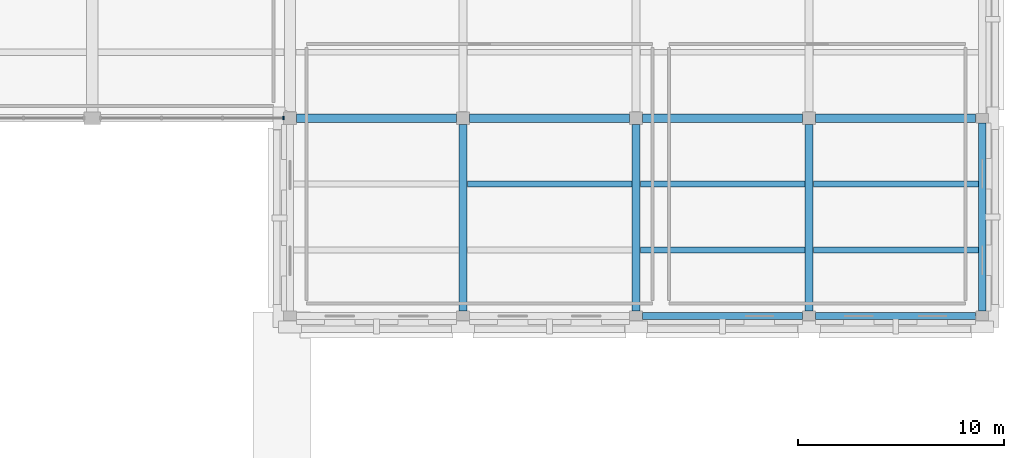
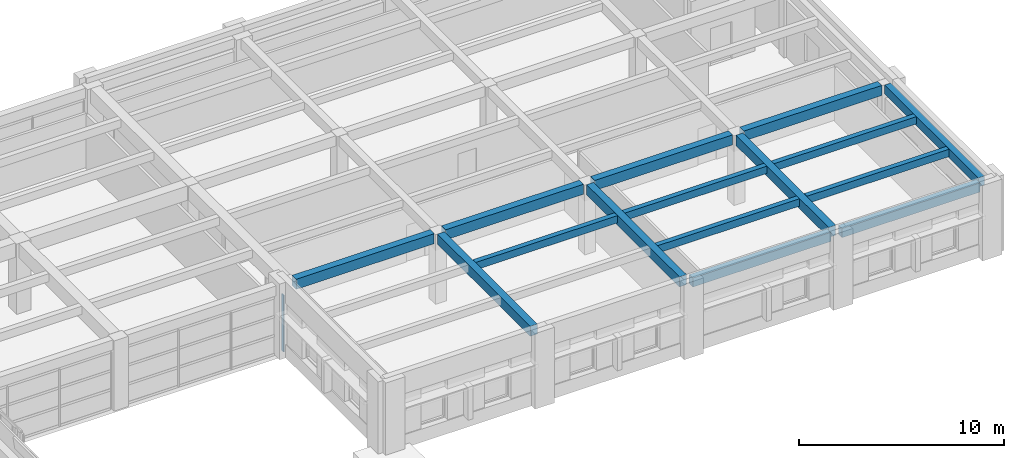
# One storey, part 21 of 49: 15 beams, 1 member, 1 element without a shape of its own.
"""IFC4 building model written with IfcOpenShell, lengths in metres."""

from ifc_helpers import new_model, si_unit, direction, frame, origin, origin_2d, place, context, subcontext, project, spatial, rectangle, extrude, material, layer, layer_set, material_profile, profile_set, type_object, element, aggregate, save


model = new_model("IFC4")

# Units and contexts
model_context = context("Model", 3, precision=1e-05, world=origin(), true_north=direction((0.0, 1.0)))
body_context = subcontext(model_context, "Body", "Model", "MODEL_VIEW")
ifc_project = project(units=[si_unit("LENGTHUNIT", "METRE"), si_unit("AREAUNIT", "SQUARE_METRE"), si_unit("VOLUMEUNIT", "CUBIC_METRE"), si_unit("PLANEANGLEUNIT", "RADIAN"), si_unit("MASSUNIT", "GRAM", prefix="KILO")], contexts=[model_context])

# Site, building, storey
site_placement = place(None, origin())
site = spatial("IfcSite", under=ifc_project, at=site_placement, CompositionType="ELEMENT")
building_placement = place(site_placement, origin())
building = spatial("IfcBuilding", under=site, at=building_placement, Name="Bempovik Park Faculty of Sciences", CompositionType="ELEMENT")
storey_placement = place(building_placement, frame((0.0, 0.0, 5.39990234375)))
storey = spatial("IfcBuildingStorey", under=building, at=storey_placement, Name="L01", CompositionType="ELEMENT", Elevation=5.39990234375)

# Beams
ifc_material_1 = material(Name="Concrete C35/45", Category="concrete")
ifc_material_profile_1 = material_profile(ifc_material_1, rectangle(XDim=0.39990234375, YDim=0.60009765625, at=origin_2d()), Name="RC 400x600")
ifc_profile_set_1 = profile_set([ifc_material_profile_1], Name="Concrete C35/45")
beam_type_1 = type_object("IfcBeamType", Name="B-020 RC 400x600", PredefinedType="BEAM", material=ifc_profile_set_1)
beam_1_placement = place(storey_placement, frame((137.115966796875, 67.800048828125, 3.880126953125), z_axis=(1.0, 0.0, 0.0), x_axis=(0.0, 1.0, 0.0)))
element("IfcBeam", 1, at=beam_1_placement, inside=storey, type_object=beam_type_1, Name="L01 Beam X (136.8-145.2, y=67.8)", PredefinedType="BEAM", context=body_context, shape_type="SweptSolid", body=[
    extrude(rectangle(XDim=0.39990234375, YDim=0.60009765625, at=origin_2d()), origin(), (0.0, 0.0, 1.0), 7.76806640625),
])
beam_2_placement = place(storey_placement, frame((145.51611328125, 67.800048828125, 3.880126953125), z_axis=(1.0, 0.0, 0.0), x_axis=(0.0, 1.0, 0.0)))
element("IfcBeam", 2, at=beam_2_placement, inside=storey, type_object=beam_type_1, Name="L01 Beam X (145.2-153.6, y=67.8)", PredefinedType="BEAM", context=body_context, shape_type="SweptSolid", body=[
    extrude(rectangle(XDim=0.39990234375, YDim=0.60009765625, at=origin_2d()), origin(), (0.0, 0.0, 1.0), 7.767822265625),
])
for number, where, z_axis, x_axis, name in (
    (3, (153.916015625, 67.800048828125, 3.880126953125), (1.0, 0.0, 0.0), (0.0, 1.0, 0.0), "L01 Beam X (153.6-162.0, y=67.8)"),
    (4, (162.31591796875, 67.800048828125, 3.880126953125), (1.0, 0.0, 0.0), (0.0, 1.0, 0.0), "L01 Beam X (162.0-170.4, y=67.8)"),
):
    element("IfcBeam", number, at=place(storey_placement, frame(where, z_axis=z_axis, x_axis=x_axis)), inside=storey, type_object=beam_type_1, Name=name, PredefinedType="BEAM", context=body_context, shape_type="SweptSolid", body=[
        extrude(rectangle(XDim=0.39990234375, YDim=0.60009765625, at=origin_2d()), origin(), (0.0, 0.0, 1.0), 7.76806640625),
    ])
for number, where, z_axis, x_axis, name in (
    (5, (145.199951171875, 58.43603515625, 3.880126953125), (0.0, 1.0, 0.0), (-1.0, 0.0, 0.0), "L01 Beam Y (x=145.2, 58.2-67.8)"),
    (6, (153.60009765625, 58.43603515625, 3.880126953125), (0.0, 1.0, 0.0), (-1.0, 0.0, 0.0), "L01 Beam Y (x=153.6, 58.2-67.8)"),
    (7, (162.0, 58.43603515625, 3.880126953125), (0.0, 1.0, 0.0), (-1.0, 0.0, 0.0), "L01 Beam Y (x=162.0, 58.2-67.8)"),
):
    element("IfcBeam", number, at=place(storey_placement, frame(where, z_axis=z_axis, x_axis=x_axis)), inside=storey, type_object=beam_type_1, Name=name, PredefinedType="BEAM", context=body_context, shape_type="SweptSolid", body=[
        extrude(rectangle(XDim=0.39990234375, YDim=0.60009765625, at=origin_2d()), origin(), (0.0, 0.0, 1.0), 9.0478515625),
    ])
ifc_material_profile_2 = material_profile(ifc_material_1, rectangle(XDim=0.35009765625, YDim=0.5400390625, at=origin_2d()), Name="RC 350x540")
ifc_profile_set_2 = profile_set([ifc_material_profile_2], Name="Concrete C35/45")
beam_type_2 = type_object("IfcBeamType", Name="B-059 RC 350x540", PredefinedType="SPANDREL", material=ifc_profile_set_2)
for number, where, z_axis, x_axis, name in (
    (8, (153.916015625, 58.199951171875, 3.91015625), (1.0, 0.0, 0.0), (0.0, 1.0, 0.0), "L01 Beam X (153.6-162.0, y=58.2)"),
    (9, (162.31591796875, 58.199951171875, 3.91015625), (1.0, 0.0, 0.0), (0.0, 1.0, 0.0), "L01 Beam X (162.0-170.4, y=58.2)"),
):
    element("IfcBeam", number, at=place(storey_placement, frame(where, z_axis=z_axis, x_axis=x_axis)), inside=storey, type_object=beam_type_2, Name=name, PredefinedType="SPANDREL", context=body_context, shape_type="SweptSolid", body=[
        extrude(rectangle(XDim=0.35009765625, YDim=0.5400390625, at=origin_2d()), origin(), (0.0, 0.0, 1.0), 7.76806640625),
    ])
beam_3_placement = place(storey_placement, frame((170.39990234375, 58.43603515625, 3.91015625), z_axis=(0.0, 1.0, 0.0), x_axis=(-1.0, 0.0, 0.0)))
element("IfcBeam", 10, at=beam_3_placement, inside=storey, type_object=beam_type_2, Name="L01 Beam Y (x=170.4, 58.2-67.8)", PredefinedType="SPANDREL", context=body_context, shape_type="SweptSolid", body=[
    extrude(rectangle(XDim=0.35009765625, YDim=0.5400390625, at=origin_2d()), origin(), (0.0, 0.0, 1.0), 9.1279296875),
])
ifc_material_profile_3 = material_profile(ifc_material_1, rectangle(XDim=0.280029296875, YDim=0.43994140625, at=origin_2d()), Name="RC 280x440")
ifc_profile_set_3 = profile_set([ifc_material_profile_3], Name="Concrete C35/45")
beam_type_3 = type_object("IfcBeamType", Name="B-076 RC 280x440", PredefinedType="JOIST", material=ifc_profile_set_3)
for number, where, z_axis, x_axis, name in (
    (11, (145.406005859375, 64.60009765625, 3.960205078125), (1.0, 0.0, 0.0), (0.0, 1.0, 0.0), "L01 Secondary Joist (145.2-153.6, y=64.60)"),
    (12, (153.805908203125, 61.39990234375, 3.960205078125), (1.0, 0.0, 0.0), (0.0, 1.0, 0.0), "L01 Secondary Joist (153.6-162.0, y=61.40)"),
    (13, (153.805908203125, 64.60009765625, 3.960205078125), (1.0, 0.0, 0.0), (0.0, 1.0, 0.0), "L01 Secondary Joist (153.6-162.0, y=64.60)"),
):
    element("IfcBeam", number, at=place(storey_placement, frame(where, z_axis=z_axis, x_axis=x_axis)), inside=storey, type_object=beam_type_3, Name=name, PredefinedType="JOIST", context=body_context, shape_type="SweptSolid", body=[
        extrude(rectangle(XDim=0.280029296875, YDim=0.43994140625, at=origin_2d()), origin(), (0.0, 0.0, 1.0), 7.988037109375),
    ])
for number, where, z_axis, x_axis, name in (
    (14, (162.2060546875, 61.39990234375, 3.960205078125), (1.0, 0.0, 0.0), (0.0, 1.0, 0.0), "L01 Secondary Joist (162.0-170.4, y=61.40)"),
    (15, (162.2060546875, 64.60009765625, 3.960205078125), (1.0, 0.0, 0.0), (0.0, 1.0, 0.0), "L01 Secondary Joist (162.0-170.4, y=64.60)"),
):
    element("IfcBeam", number, at=place(storey_placement, frame(where, z_axis=z_axis, x_axis=x_axis)), inside=storey, type_object=beam_type_3, Name=name, PredefinedType="JOIST", context=body_context, shape_type="SweptSolid", body=[
        extrude(rectangle(XDim=0.280029296875, YDim=0.43994140625, at=origin_2d()), origin(), (0.0, 0.0, 1.0), 8.012939453125),
    ])

# Curtain wall, member
ifc_material_2 = material(Name="Tempered laminated low-E glass", Category="glass")
ifc_layer = layer(ifc_material_2, 0.159912109375)
ifc_layer_set = layer_set([ifc_layer], Name="Tempered laminated low-E glass")
curtain_wall_type = type_object("IfcCurtainWallType", Name="CW-52 Curtain 6600x4100", PredefinedType="USERDEFINED", material=ifc_layer_set)
curtain_wall_placement = place(storey_placement, origin())
curtain_wall = element("IfcCurtainWall", 16, at=curtain_wall_placement, inside=storey, type_object=curtain_wall_type, Name="L01 Unitised Curtain Wall (67.8,127.2)", ObjectType="UNITISED CURTAIN WALL", PredefinedType="USERDEFINED")
ifc_material_3 = material(Name="Anodised architectural bronze", Category="aluminium")
ifc_material_profile_4 = material_profile(ifc_material_3, rectangle(XDim=0.06494140625, YDim=0.169921875, at=origin_2d()), Name="ALU-M 65x170")
ifc_profile_set_4 = profile_set([ifc_material_profile_4], Name="Anodised architectural bronze")
member_type = type_object("IfcMemberType", Name="ML-15 ALU-M 65x170", PredefinedType="MULLION", material=ifc_profile_set_4)
member_placement = place(storey_placement, frame((136.488037109375, 67.800048828125, 0.0), z_axis=(0.0, 0.0, 1.0), x_axis=(1.0, 0.0, 0.0)))
member = element("IfcMember", 17, at=member_placement, type_object=member_type, Name="CW-BAY-L01-678-1272 Mullion 3", PredefinedType="MULLION", context=body_context, shape_type="SweptSolid", body=[
    extrude(rectangle(XDim=0.06494140625, YDim=0.169921875, at=origin_2d()), origin(), (0.0, 0.0, 1.0), 3.380126953125),
])
aggregate(curtain_wall, [member])

save(model, "model.ifc")
